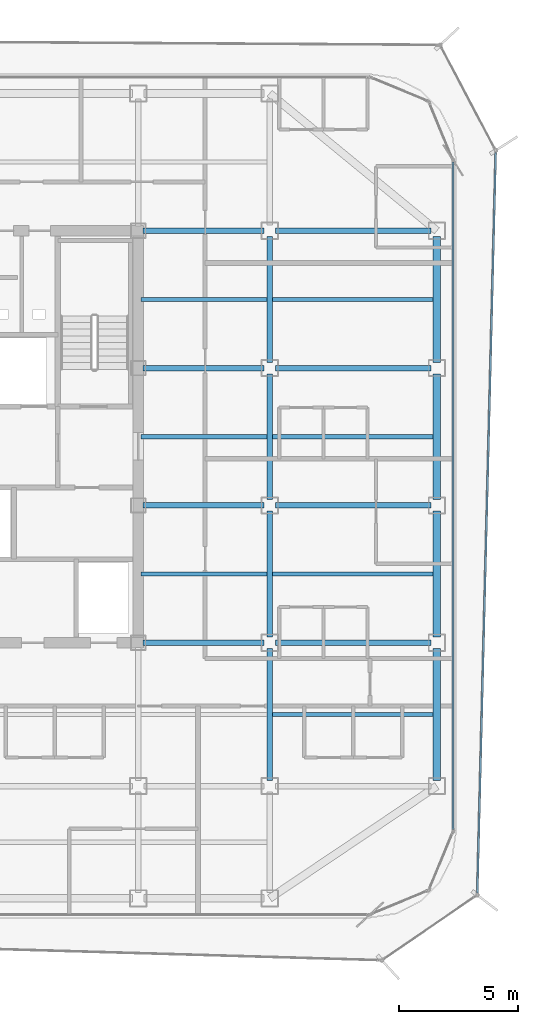
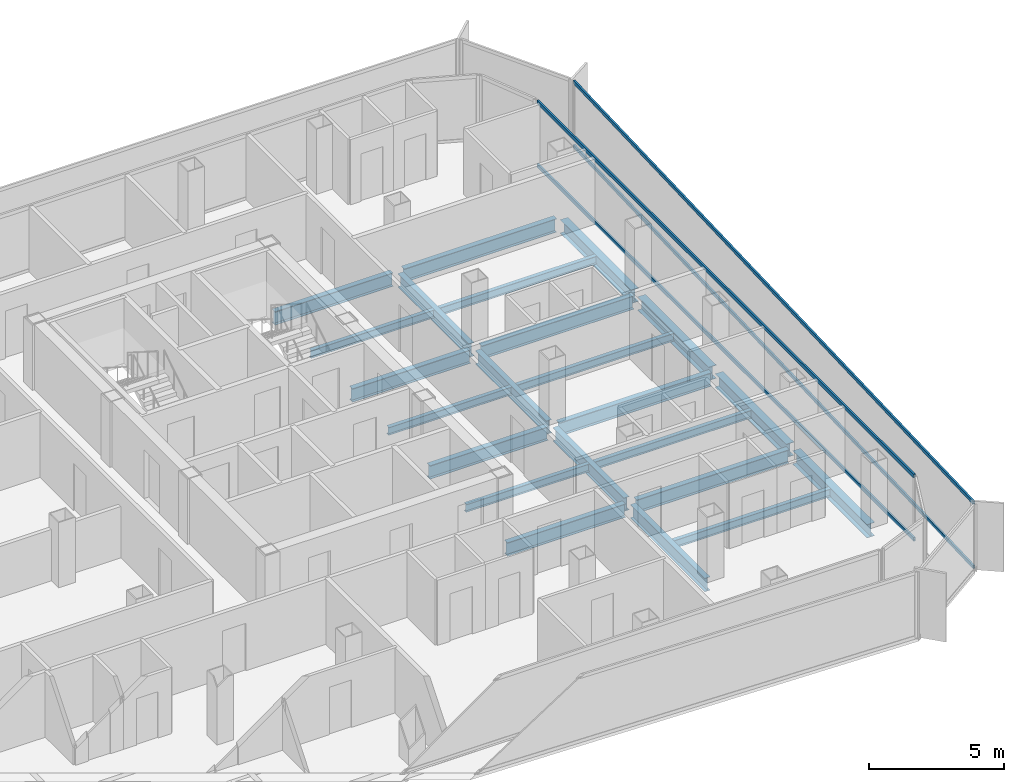
# One storey, part 5 of 15: 23 beams, 4 members, 2 elements without a shape of their own.
"""IFC4 building model written with IfcOpenShell, lengths in metres."""

from ifc_helpers import new_model, si_unit, direction, frame, origin, origin_2d, place, context, subcontext, project, spatial, hollow_rectangle, i_section, extrude, source, transform, mapped, material, layer, layer_set, material_profile, profile_set, type_object, element, aggregate, save


model = new_model("IFC4")

# Units and contexts
model_context = context("Model", 3, precision=1e-05, world=origin(), true_north=direction((0.0, 1.0)))
body_context = subcontext(model_context, "Body", "Model", "MODEL_VIEW")
ifc_project = project(units=[si_unit("LENGTHUNIT", "METRE"), si_unit("AREAUNIT", "SQUARE_METRE"), si_unit("VOLUMEUNIT", "CUBIC_METRE"), si_unit("PLANEANGLEUNIT", "RADIAN"), si_unit("MASSUNIT", "GRAM", prefix="KILO")], contexts=[model_context])

# Site, building, storey
site_placement = place(None, origin())
site = spatial("IfcSite", under=ifc_project, at=site_placement, CompositionType="ELEMENT")
building_placement = place(site_placement, origin())
building = spatial("IfcBuilding", under=site, at=building_placement, Name="Kolveth Station Tower", CompositionType="ELEMENT")
storey_placement = place(building_placement, frame((0.0, 0.0, 202.800048828125)))
storey = spatial("IfcBuildingStorey", under=building, at=storey_placement, Name="L57", CompositionType="ELEMENT", Elevation=202.800048828125)

# Beams
ifc_material_1 = material(Name="Steel S355", Category="steel")
ifc_material_profile_1 = material_profile(ifc_material_1, i_section(OverallWidth=0.323974609375, OverallDepth=0.611083984375, WebThickness=0.0126953125, FlangeThickness=0.01904296875, at=origin_2d()), Name="W610x155")
ifc_profile_set_1 = profile_set([ifc_material_profile_1], Name="Steel S355")
beam_type_1 = type_object("IfcBeamType", Name="Beam_SP2", PredefinedType="SPANDREL", material=ifc_profile_set_1)
shared_shape_1 = source(origin(), body_context, "Body", "SweptSolid", [
    extrude(i_section(OverallWidth=0.323974609375, OverallDepth=0.611083984375, WebThickness=0.0126953125, FlangeThickness=0.01904296875, at=origin_2d()), origin(), (0.0, 0.0, 1.0), 5.52001953125),
])
beam_1_placement = place(storey_placement, frame((41.0, 5.739990234375, -0.5556640625), z_axis=(0.0, 1.0, 0.0), x_axis=(-1.0, 0.0, 0.0)))
element("IfcBeam", 1, at=beam_1_placement, inside=storey, type_object=beam_type_1, Name="L57 Perimeter Spandrel BM-L57-PE-1", PredefinedType="SPANDREL", context=body_context, shape_type="MappedRepresentation", body=[
    mapped(shared_shape_1, transform((0.0, 0.0, 0.0), x_axis=(1.0, 0.0, 0.0), y_axis=(0.0, 1.0, 0.0), z_axis=(0.0, 0.0, 1.0), scale=1.0)),
])
shared_shape_2 = source(origin(), body_context, "Body", "SweptSolid", [
    extrude(i_section(OverallWidth=0.323974609375, OverallDepth=0.611083984375, WebThickness=0.0126953125, FlangeThickness=0.01904296875, at=origin_2d()), origin(), (0.0, 0.0, 1.0), 5.27001953125),
])
for number, where, z_axis, x_axis, name in (
    (2, (41.0, 11.739990234375, -0.5556640625), (0.0, 1.0, 0.0), (-1.0, 0.0, 0.0), "L57 Perimeter Spandrel BM-L57-PE-2"),
    (3, (41.0, 17.489990234375, -0.5556640625), (0.0, 1.0, 0.0), (-1.0, 0.0, 0.0), "L57 Perimeter Spandrel BM-L57-PE-3"),
    (4, (41.0, 23.239990234375, -0.5556640625), (0.0, 1.0, 0.0), (-1.0, 0.0, 0.0), "L57 Perimeter Spandrel BM-L57-PE-4"),
):
    element("IfcBeam", number, at=place(storey_placement, frame(where, z_axis=z_axis, x_axis=x_axis)), inside=storey, type_object=beam_type_1, Name=name, PredefinedType="SPANDREL", context=body_context, shape_type="MappedRepresentation", body=[
        mapped(shared_shape_2, transform((0.0, 0.0, 0.0), x_axis=(1.0, 0.0, 0.0), y_axis=(0.0, 1.0, 0.0), z_axis=(0.0, 0.0, 1.0), scale=1.0)),
    ])
ifc_material_profile_2 = material_profile(ifc_material_1, i_section(OverallWidth=0.22900390625, OverallDepth=0.612060546875, WebThickness=0.011962890625, FlangeThickness=0.01953125, at=origin_2d()), Name="W610x125")
ifc_profile_set_2 = profile_set([ifc_material_profile_2], Name="Steel S355")
beam_type_2 = type_object("IfcBeamType", Name="Beam_B5", PredefinedType="BEAM", material=ifc_profile_set_2)
shared_shape_3 = source(origin(), body_context, "Body", "SweptSolid", [
    extrude(i_section(OverallWidth=0.22900390625, OverallDepth=0.612060546875, WebThickness=0.011962890625, FlangeThickness=0.01953125, at=origin_2d()), origin(), (0.0, 0.0, 1.0), 6.52001953125),
])
for number, where, z_axis, x_axis, name in (
    (5, (34.239990234375, 11.5, -0.55615234375), (1.0, 0.0, 0.0), (0.0, 1.0, 0.0), "L57 Primary Girder BM-L57-GY115-6"),
    (6, (34.239990234375, 17.25, -0.55615234375), (1.0, 0.0, 0.0), (0.0, 1.0, 0.0), "L57 Primary Girder BM-L57-GY172-6"),
    (7, (34.239990234375, 23.0, -0.55615234375), (1.0, 0.0, 0.0), (0.0, 1.0, 0.0), "L57 Primary Girder BM-L57-GY230-6"),
    (8, (34.239990234375, 28.75, -0.55615234375), (1.0, 0.0, 0.0), (0.0, 1.0, 0.0), "L57 Primary Girder BM-L57-GY287-6"),
):
    element("IfcBeam", number, at=place(storey_placement, frame(where, z_axis=z_axis, x_axis=x_axis)), inside=storey, type_object=beam_type_2, Name=name, PredefinedType="BEAM", context=body_context, shape_type="MappedRepresentation", body=[
        mapped(shared_shape_3, transform((0.0, 0.0, 0.0), x_axis=(1.0, 0.0, 0.0), y_axis=(0.0, 1.0, 0.0), z_axis=(0.0, 0.0, 1.0), scale=1.0)),
    ])
shared_shape_4 = source(origin(), body_context, "Body", "SweptSolid", [
    extrude(i_section(OverallWidth=0.22900390625, OverallDepth=0.612060546875, WebThickness=0.011962890625, FlangeThickness=0.01953125, at=origin_2d()), origin(), (0.0, 0.0, 1.0), 5.06005859375),
])
for number, where, z_axis, x_axis, name in (
    (9, (28.699951171875, 11.5, -0.55615234375), (1.0, 0.0, 0.0), (0.0, 1.0, 0.0), "L57 Primary Girder BM-L57-GY115-5"),
    (10, (28.699951171875, 17.25, -0.55615234375), (1.0, 0.0, 0.0), (0.0, 1.0, 0.0), "L57 Primary Girder BM-L57-GY172-5"),
    (11, (28.699951171875, 23.0, -0.55615234375), (1.0, 0.0, 0.0), (0.0, 1.0, 0.0), "L57 Primary Girder BM-L57-GY230-5"),
    (12, (28.699951171875, 28.75, -0.55615234375), (1.0, 0.0, 0.0), (0.0, 1.0, 0.0), "L57 Primary Girder BM-L57-GY287-5"),
):
    element("IfcBeam", number, at=place(storey_placement, frame(where, z_axis=z_axis, x_axis=x_axis)), inside=storey, type_object=beam_type_2, Name=name, PredefinedType="BEAM", context=body_context, shape_type="MappedRepresentation", body=[
        mapped(shared_shape_4, transform((0.0, 0.0, 0.0), x_axis=(1.0, 0.0, 0.0), y_axis=(0.0, 1.0, 0.0), z_axis=(0.0, 0.0, 1.0), scale=1.0)),
    ])
shared_shape_5 = source(origin(), body_context, "Body", "SweptSolid", [
    extrude(i_section(OverallWidth=0.22900390625, OverallDepth=0.612060546875, WebThickness=0.011962890625, FlangeThickness=0.01953125, at=origin_2d()), origin(), (0.0, 0.0, 1.0), 5.52001953125),
])
beam_2_placement = place(storey_placement, frame((34.0, 5.739990234375, -0.55615234375), z_axis=(0.0, 1.0, 0.0), x_axis=(-1.0, 0.0, 0.0)))
element("IfcBeam", 13, at=beam_2_placement, inside=storey, type_object=beam_type_2, Name="L57 Primary Girder BM-L57-GX340-2", PredefinedType="BEAM", context=body_context, shape_type="MappedRepresentation", body=[
    mapped(shared_shape_5, transform((0.0, 0.0, 0.0), x_axis=(1.0, 0.0, 0.0), y_axis=(0.0, 1.0, 0.0), z_axis=(0.0, 0.0, 1.0), scale=1.0)),
])
shared_shape_6 = source(origin(), body_context, "Body", "SweptSolid", [
    extrude(i_section(OverallWidth=0.22900390625, OverallDepth=0.612060546875, WebThickness=0.011962890625, FlangeThickness=0.01953125, at=origin_2d()), origin(), (0.0, 0.0, 1.0), 5.27001953125),
])
for number, where, z_axis, x_axis, name in (
    (14, (34.0, 11.739990234375, -0.55615234375), (0.0, 1.0, 0.0), (-1.0, 0.0, 0.0), "L57 Primary Girder BM-L57-GX340-3"),
    (15, (34.0, 17.489990234375, -0.55615234375), (0.0, 1.0, 0.0), (-1.0, 0.0, 0.0), "L57 Primary Girder BM-L57-GX340-4"),
    (16, (34.0, 23.239990234375, -0.55615234375), (0.0, 1.0, 0.0), (-1.0, 0.0, 0.0), "L57 Primary Girder BM-L57-GX340-5"),
):
    element("IfcBeam", number, at=place(storey_placement, frame(where, z_axis=z_axis, x_axis=x_axis)), inside=storey, type_object=beam_type_2, Name=name, PredefinedType="BEAM", context=body_context, shape_type="MappedRepresentation", body=[
        mapped(shared_shape_6, transform((0.0, 0.0, 0.0), x_axis=(1.0, 0.0, 0.0), y_axis=(0.0, 1.0, 0.0), z_axis=(0.0, 0.0, 1.0), scale=1.0)),
    ])
ifc_material_profile_3 = material_profile(ifc_material_1, i_section(OverallWidth=0.1708984375, OverallDepth=0.35205078125, WebThickness=0.0068359375, FlangeThickness=0.009765625, at=origin_2d()), Name="W360x44")
ifc_profile_set_3 = profile_set([ifc_material_profile_3], Name="Steel S355")
beam_type_3 = type_object("IfcBeamType", Name="Beam_J2", PredefinedType="JOIST", material=ifc_profile_set_3)
shared_shape_7 = source(origin(), body_context, "Body", "SweptSolid", [
    extrude(i_section(OverallWidth=0.1708984375, OverallDepth=0.35205078125, WebThickness=0.0068359375, FlangeThickness=0.009765625, at=origin_2d()), origin(), (0.0, 0.0, 1.0), 5.27490234375),
])
for number, where, z_axis, x_axis, name in (
    (17, (28.612548828125, 14.375, -0.426025390625), (1.0, 0.0, 0.0), (0.0, 1.0, 0.0), "L57 Secondary Joist JST-L57-5-3"),
    (18, (28.612548828125, 20.125, -0.426025390625), (1.0, 0.0, 0.0), (0.0, 1.0, 0.0), "L57 Secondary Joist JST-L57-5-4"),
    (19, (28.612548828125, 25.875, -0.426025390625), (1.0, 0.0, 0.0), (0.0, 1.0, 0.0), "L57 Secondary Joist JST-L57-5-5"),
):
    element("IfcBeam", number, at=place(storey_placement, frame(where, z_axis=z_axis, x_axis=x_axis)), inside=storey, type_object=beam_type_3, Name=name, PredefinedType="JOIST", context=body_context, shape_type="MappedRepresentation", body=[
        mapped(shared_shape_7, transform((0.0, 0.0, 0.0), x_axis=(1.0, 0.0, 0.0), y_axis=(0.0, 1.0, 0.0), z_axis=(0.0, 0.0, 1.0), scale=1.0)),
    ])
shared_shape_8 = source(origin(), body_context, "Body", "SweptSolid", [
    extrude(i_section(OverallWidth=0.1708984375, OverallDepth=0.35205078125, WebThickness=0.0068359375, FlangeThickness=0.009765625, at=origin_2d()), origin(), (0.0, 0.0, 1.0), 6.7275390625),
])
for number, where, z_axis, x_axis, name in (
    (20, (34.112548828125, 8.5, -0.426025390625), (1.0, 0.0, 0.0), (0.0, 1.0, 0.0), "L57 Secondary Joist JST-L57-6-2"),
    (21, (34.112548828125, 14.375, -0.426025390625), (1.0, 0.0, 0.0), (0.0, 1.0, 0.0), "L57 Secondary Joist JST-L57-6-3"),
    (22, (34.112548828125, 20.125, -0.426025390625), (1.0, 0.0, 0.0), (0.0, 1.0, 0.0), "L57 Secondary Joist JST-L57-6-4"),
    (23, (34.112548828125, 25.875, -0.426025390625), (1.0, 0.0, 0.0), (0.0, 1.0, 0.0), "L57 Secondary Joist JST-L57-6-5"),
):
    element("IfcBeam", number, at=place(storey_placement, frame(where, z_axis=z_axis, x_axis=x_axis)), inside=storey, type_object=beam_type_3, Name=name, PredefinedType="JOIST", context=body_context, shape_type="MappedRepresentation", body=[
        mapped(shared_shape_8, transform((0.0, 0.0, 0.0), x_axis=(1.0, 0.0, 0.0), y_axis=(0.0, 1.0, 0.0), z_axis=(0.0, 0.0, 1.0), scale=1.0)),
    ])

# Curtain wall, members
ifc_material_2 = material(Name="Aluminium 6063-T6 and low-E dark glass", Category="aluminium")
ifc_layer_1 = layer(ifc_material_2, 0.18994140625)
ifc_layer_set_1 = layer_set([ifc_layer_1], Name="Aluminium 6063-T6 and low-E dark glass")
curtain_wall_type_1 = type_object("IfcCurtainWallType", Name="CurtainWall_CW-Z2", PredefinedType="NOTDEFINED", material=ifc_layer_set_1)
curtain_wall_1_placement = place(storey_placement, origin())
curtain_wall_1 = element("IfcCurtainWall", 24, at=curtain_wall_1_placement, inside=storey, type_object=curtain_wall_type_1, Name="L57 Inner Thermal Curtain Wall 3", PredefinedType="NOTDEFINED")
ifc_material_3 = material(Name="Black anodized aluminium 6063-T6", Category="aluminium")
ifc_material_profile_4 = material_profile(ifc_material_3, hollow_rectangle(XDim=0.080078125, YDim=0.169921875, WallThickness=0.0048828125, at=origin_2d()), Name="ALU-80x170x5")
ifc_profile_set_4 = profile_set([ifc_material_profile_4], Name="Black anodized aluminium 6063-T6")
member_type_1 = type_object("IfcMemberType", Name="Transom_TR2", PredefinedType="USERDEFINED", material=ifc_profile_set_4)
shared_shape_9 = source(origin(), body_context, "Body", "SweptSolid", [
    extrude(hollow_rectangle(XDim=0.080078125, YDim=0.169921875, WallThickness=0.0048828125, at=origin_2d()), origin(), (0.0, 0.0, 1.0), 27.940185546875),
])
member_1_placement = place(storey_placement, frame((41.679931640625, 3.679931640625, 0.0400390625), z_axis=(0.0, 1.0, 0.0), x_axis=(-1.0, 0.0, 0.0)))
member_1 = element("IfcMember", 25, at=member_1_placement, type_object=member_type_1, Name="CW-Z2 transom 1.1", ObjectType="TRANSOM", PredefinedType="USERDEFINED", context=body_context, shape_type="MappedRepresentation", body=[
    mapped(shared_shape_9, transform((0.0, 0.0, 0.0), x_axis=(1.0, 0.0, 0.0), y_axis=(0.0, 1.0, 0.0), z_axis=(0.0, 0.0, 1.0), scale=1.0)),
])
member_2_placement = place(storey_placement, frame((41.679931640625, 3.679931640625, 2.909912109375), z_axis=(0.0, 1.0, 0.0), x_axis=(-1.0, 0.0, 0.0)))
member_2 = element("IfcMember", 26, at=member_2_placement, type_object=member_type_1, Name="CW-Z2 transom 1.2", ObjectType="TRANSOM", PredefinedType="USERDEFINED", context=body_context, shape_type="MappedRepresentation", body=[
    mapped(shared_shape_9, transform((0.0, 0.0, 0.0), x_axis=(1.0, 0.0, 0.0), y_axis=(0.0, 1.0, 0.0), z_axis=(0.0, 0.0, 1.0), scale=1.0)),
])
aggregate(curtain_wall_1, [member_1, member_2])

ifc_material_4 = material(Name="Black anodized aluminium 6063-T6 and dark solar glass", Category="aluminium")
ifc_layer_2 = layer(ifc_material_4, 0.159912109375)
ifc_layer_set_2 = layer_set([ifc_layer_2], Name="Black anodized aluminium 6063-T6 and dark solar glass")
curtain_wall_type_2 = type_object("IfcCurtainWallType", Name="OUTER SKIN CW-OS", PredefinedType="NOTDEFINED", material=ifc_layer_set_2)
curtain_wall_2_placement = place(storey_placement, origin())
curtain_wall_2 = element("IfcCurtainWall", 27, at=curtain_wall_2_placement, inside=storey, type_object=curtain_wall_type_2, Name="L57 Outer Ventilated Skin Curtain Wall 2", PredefinedType="NOTDEFINED")
ifc_material_profile_5 = material_profile(ifc_material_3, hollow_rectangle(XDim=0.080078125, YDim=0.14990234375, WallThickness=0.0048828125, at=origin_2d()), Name="ALU-80x150x5")
ifc_profile_set_5 = profile_set([ifc_material_profile_5], Name="Black anodized aluminium 6063-T6")
member_type_2 = type_object("IfcMemberType", Name="Transom_TR-OS", PredefinedType="USERDEFINED", material=ifc_profile_set_5)
shared_shape_10 = source(origin(), body_context, "Body", "SweptSolid", [
    extrude(hollow_rectangle(XDim=0.080078125, YDim=0.14990234375, WallThickness=0.0048828125, at=origin_2d()), origin(), (0.0, 0.0, 1.0), 31.002685546875),
])
member_3_placement = place(storey_placement, frame((42.693359375, 1.029296875, 0.0400390625), z_axis=(0.024876503689, 0.999690531897, 0.0), x_axis=(-0.999690531897, 0.024876503689, 0.0)))
member_3 = element("IfcMember", 28, at=member_3_placement, type_object=member_type_2, Name="CW-OS transom 1.1", ObjectType="TRANSOM", PredefinedType="USERDEFINED", context=body_context, shape_type="MappedRepresentation", body=[
    mapped(shared_shape_10, transform((0.0, 0.0, 0.0), x_axis=(1.0, 0.0, 0.0), y_axis=(0.0, 1.0, 0.0), z_axis=(0.0, 0.0, 1.0), scale=1.0)),
])
member_4_placement = place(storey_placement, frame((42.693359375, 1.029296875, 2.949951171875), z_axis=(0.024876503689, 0.999690531897, 0.0), x_axis=(-0.999690531897, 0.024876503689, 0.0)))
member_4 = element("IfcMember", 29, at=member_4_placement, type_object=member_type_2, Name="CW-OS transom 1.2", ObjectType="TRANSOM", PredefinedType="USERDEFINED", context=body_context, shape_type="MappedRepresentation", body=[
    mapped(shared_shape_10, transform((0.0, 0.0, 0.0), x_axis=(1.0, 0.0, 0.0), y_axis=(0.0, 1.0, 0.0), z_axis=(0.0, 0.0, 1.0), scale=1.0)),
])
aggregate(curtain_wall_2, [member_3, member_4])

save(model, "model.ifc")
